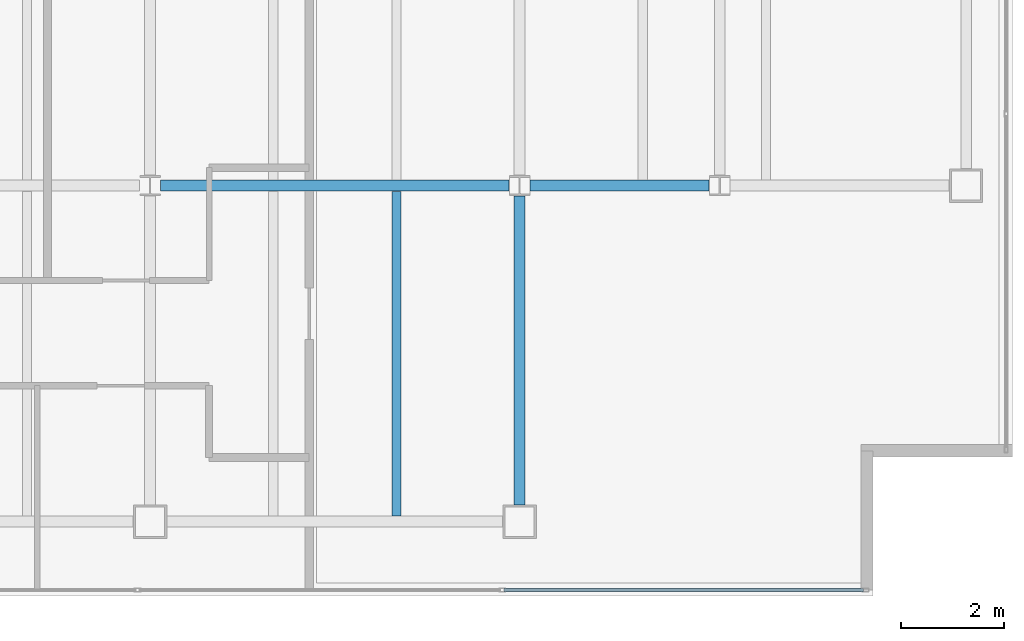
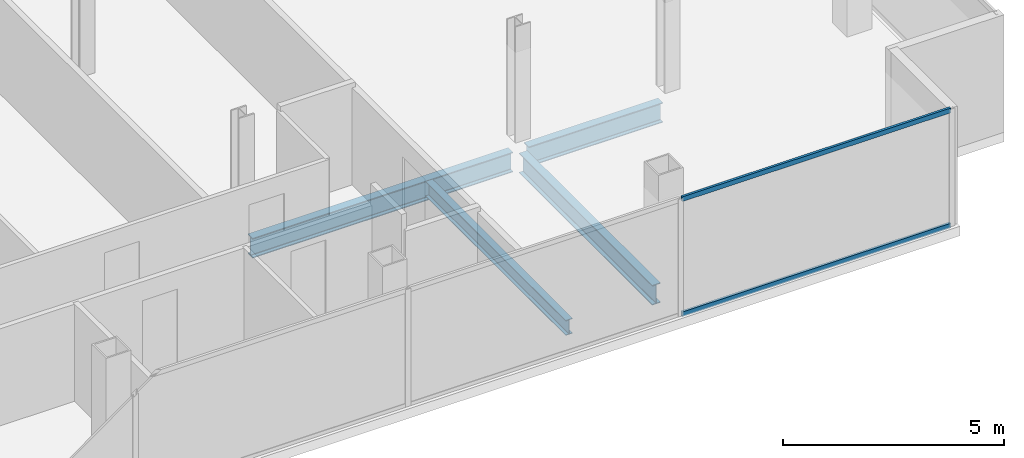
# One storey, part 13 of 23: 4 beams, 2 members, 1 element without a shape of its own.
"""IFC4 building model written with IfcOpenShell, lengths in metres."""

import ifcopenshell
import ifcopenshell.guid

model = None  # the IFC model being written
_history = None  # IfcOwnerHistory: only IFC2X3 demands one
_inside = {}  # id of a spatial element -> (the spatial element, [elements in it])
_under = {}  # id of a project, library or spatial element -> (it, [spatial elements below it])
_declared = {}  # id of a project -> (the project, [libraries it declares])
_typed = {}  # id of a type object -> (the type object, [elements of that type])
_made_of = {}  # id of a material, layer set ... -> (it, [elements and type objects made of it])


def new_model(schema):
    """Start an empty IFC model of exactly this schema.

    Asked for "IFC4X3", IfcOpenShell would pick the latest addendum, in which some entities
    have other attributes; the version numbers below select the first issue.
    IFC2X3 requires an IfcOwnerHistory on every rooted entity: one is made here for all.
    """
    global model, _history
    if schema == "IFC4X3":
        model = ifcopenshell.file(schema_version=(4, 3, 0, 0))
    else:
        model = ifcopenshell.file(schema=schema)
    _inside.clear()
    _under.clear()
    _declared.clear()
    _typed.clear()
    _made_of.clear()
    _history = None
    if model.schema == "IFC2X3":
        org = make("IfcOrganization", Name="unknown")
        user = make(
            "IfcPersonAndOrganization",
            ThePerson=make("IfcPerson", FamilyName="unknown"),
            TheOrganization=org,
        )
        app = make(
            "IfcApplication",
            ApplicationDeveloper=org,
            Version="unknown",
            ApplicationFullName="unknown",
            ApplicationIdentifier="unknown",
        )
        _history = make(
            "IfcOwnerHistory",
            OwningUser=user,
            OwningApplication=app,
            ChangeAction="ADDED",
            CreationDate=0,
        )
    return model


def make(cls, **values):
    """One entity of the class cls with the attributes given. An attribute that is None is left unset."""
    return model.create_entity(
        cls, **{name: value for name, value in values.items() if value is not None}
    )


def rooted(cls, **values):
    """An entity with a GlobalId (a new one), such as an element, a storey or a relation."""
    return make(cls, GlobalId=ifcopenshell.guid.new(), OwnerHistory=_history, **values)


def si_unit(unit_type, name, prefix=None):
    """IfcSIUnit, for example si_unit("LENGTHUNIT", "METRE", prefix="MILLI")."""
    return make("IfcSIUnit", UnitType=unit_type, Prefix=prefix, Name=name)


def assignment(units):
    """IfcUnitAssignment: the units of a project."""
    return None if units is None else make("IfcUnitAssignment", Units=units)


def point(xyz):
    """IfcCartesianPoint."""
    return None if xyz is None else make("IfcCartesianPoint", Coordinates=xyz)


def direction(xyz):
    """IfcDirection."""
    return None if xyz is None else make("IfcDirection", DirectionRatios=xyz)


def frame(location, z_axis=None, x_axis=None):
    """IfcAxis2Placement3D, a coordinate frame: its origin and axes. An axis left out is left unset."""
    return make(
        "IfcAxis2Placement3D",
        Location=point(location),
        Axis=direction(z_axis),
        RefDirection=direction(x_axis),
    )


def frame_2d(location, x_axis=None):
    """IfcAxis2Placement2D, a coordinate frame in the plane: its origin and x axis."""
    return make(
        "IfcAxis2Placement2D", Location=point(location), RefDirection=direction(x_axis)
    )


def origin():
    """The frame at (0, 0, 0) with its axes left unset."""
    return frame((0.0, 0.0, 0.0))


def origin_2d():
    """The frame at (0, 0) in the plane with its x axis left unset."""
    return frame_2d((0.0, 0.0))


def place(relative_to, where):
    """IfcLocalPlacement: puts the frame where relative to a parent placement (None: the world)."""
    return make(
        "IfcLocalPlacement", PlacementRelTo=relative_to, RelativePlacement=where
    )


def context(
    kind, dimensions, precision=None, world=None, true_north=None, identifier=None
):
    """IfcGeometricRepresentationContext, for example the 3D "Model" context."""
    return make(
        "IfcGeometricRepresentationContext",
        ContextIdentifier=identifier,
        ContextType=kind,
        CoordinateSpaceDimension=dimensions,
        Precision=precision,
        WorldCoordinateSystem=world,
        TrueNorth=true_north,
    )


def subcontext(parent, identifier, kind, view, scale=None):
    """IfcGeometricRepresentationSubContext, for example "Body" below "Model"."""
    return make(
        "IfcGeometricRepresentationSubContext",
        ContextIdentifier=identifier,
        ContextType=kind,
        ParentContext=parent,
        TargetScale=scale,
        TargetView=view,
    )


def project(units=None, contexts=None):
    """IfcProject with its units and contexts."""
    return rooted(
        "IfcProject",
        Name="project",
        RepresentationContexts=contexts,
        UnitsInContext=assignment(units),
    )


def spatial(cls, under=None, at=None, **own):
    """A site, building, storey or space (cls), placed at a placement, below another one or the project."""
    s = rooted(cls, ObjectPlacement=at, **own)
    if under is not None:
        _under.setdefault(under.id(), (under, []))[1].append(s)
    return s


def profile(cls, at=None, kind="AREA", **sizes):
    """A parametric profile (cls). Its sizes go by their IFC names, for example OverallWidth=200.0."""
    return make(cls, ProfileType=kind, Position=at, **sizes)


def hollow_rectangle(**sizes):
    """IfcRectangleHollowProfileDef."""
    return profile("IfcRectangleHollowProfileDef", **sizes)


def i_section(**sizes):
    """IfcIShapeProfileDef."""
    return profile("IfcIShapeProfileDef", **sizes)


def extrude(swept, where, along, depth):
    """IfcExtrudedAreaSolid: the profile swept, set in the frame where, extruded along a direction by depth."""
    return make(
        "IfcExtrudedAreaSolid",
        SweptArea=swept,
        Position=where,
        ExtrudedDirection=direction(along),
        Depth=depth,
    )


def shape(context_of_items, identifier, shape_type, items):
    """IfcShapeRepresentation: the items that make up one representation, for example the "Body"."""
    return make(
        "IfcShapeRepresentation",
        ContextOfItems=context_of_items,
        RepresentationIdentifier=identifier,
        RepresentationType=shape_type,
        Items=items,
    )


def material(Name=None, Category=None):
    """IfcMaterial."""
    return make("IfcMaterial", Name=Name, Category=Category)


def material_profile(
    of_material, cross_section, Name=None, Category=None, Priority=None
):
    """IfcMaterialProfile: a cross section and its material."""
    return make(
        "IfcMaterialProfile",
        Name=Name,
        Material=of_material,
        Profile=cross_section,
        Priority=Priority,
        Category=Category,
    )


def profile_set(profiles, Name=None, composite=None):
    """IfcMaterialProfileSet."""
    return make(
        "IfcMaterialProfileSet",
        Name=Name,
        MaterialProfiles=profiles,
        CompositeProfile=composite,
    )


def made_of(thing, what):
    """Note that an element or type object is made of a material, layer set ...; save() writes the relation."""
    if what is not None:
        _made_of.setdefault(what.id(), (what, []))[1].append(thing)
    return thing


def type_object(cls, material=None, **own):
    """A type object (cls), such as IfcWallType, which elements share."""
    return made_of(rooted(cls, **own), material)


def element(
    cls,
    number,
    at=None,
    inside=None,
    cuts=None,
    type_object=None,
    material=None,
    context=None,
    identifier="Body",
    shape_type=None,
    held_by="IfcProductDefinitionShape",
    body=None,
    shapes=None,
    **own,
):
    """One element of the class cls, such as IfcWall. Its Tag is "e" and its number.

    at: its placement. inside: the storey or other place that contains it. cuts: it is an
    opening in that element (IfcRelVoidsElement). A single representation is given by context,
    identifier, shape_type and body (its items); several are given by shapes. held_by: the class
    of the entity that holds the representations. save() writes the other relations.
    """
    e = rooted(cls, Tag="e%d" % number, ObjectPlacement=at, **own)
    if body is not None:
        shapes = [shape(context, identifier, shape_type, body)]
    if shapes is not None:
        e.Representation = make(held_by, Representations=shapes)
    if inside is not None:
        _inside.setdefault(inside.id(), (inside, []))[1].append(e)
    if cuts is not None:
        rooted(
            "IfcRelVoidsElement", RelatingBuildingElement=cuts, RelatedOpeningElement=e
        )
    if type_object is not None:
        _typed.setdefault(type_object.id(), (type_object, []))[1].append(e)
    return made_of(e, material)


def aggregate(whole, parts):
    """IfcRelAggregates: a whole, such as a stair, and the parts it consists of."""
    return rooted("IfcRelAggregates", RelatingObject=whole, RelatedObjects=parts)


def save(model, path):
    """Write the relations noted so far, then the file.

    IfcRelAggregates (storeys below a building ...), IfcRelContainedInSpatialStructure (elements
    in a storey), IfcRelDefinesByType, IfcRelAssociatesMaterial and IfcRelDeclares: one each for
    every whole, place, type object, material and project.
    """
    for whole, parts in _under.values():
        aggregate(whole, parts)
    for where, things in _inside.values():
        rooted(
            "IfcRelContainedInSpatialStructure",
            RelatedElements=things,
            RelatingStructure=where,
        )
    for kind, things in _typed.values():
        rooted("IfcRelDefinesByType", RelatedObjects=things, RelatingType=kind)
    for what, things in _made_of.values():
        rooted("IfcRelAssociatesMaterial", RelatedObjects=things, RelatingMaterial=what)
    for by, libraries in _declared.values():
        rooted("IfcRelDeclares", RelatingContext=by, RelatedDefinitions=libraries)
    model.write(path)


model = new_model("IFC4")

# Units and contexts
model_context = context("Model", 3, precision=1e-05, world=origin(), true_north=direction((0.0, 1.0)))
body_context = subcontext(model_context, "Body", "Model", "MODEL_VIEW")
ifc_project = project(units=[si_unit("LENGTHUNIT", "METRE"), si_unit("AREAUNIT", "SQUARE_METRE"), si_unit("VOLUMEUNIT", "CUBIC_METRE"), si_unit("PLANEANGLEUNIT", "RADIAN"), si_unit("MASSUNIT", "GRAM", prefix="KILO")], contexts=[model_context])

# Site, building, storey
site_placement = place(None, origin())
site = spatial("IfcSite", under=ifc_project, at=site_placement, CompositionType="ELEMENT")
building_placement = place(site_placement, origin())
building = spatial("IfcBuilding", under=site, at=building_placement, Name="Cobrela Telecom Tower", CompositionType="ELEMENT")
storey_placement = place(building_placement, frame((0.0, 0.0, 286.64990234375)))
storey = spatial("IfcBuildingStorey", under=building, at=storey_placement, Name="L75", CompositionType="ELEMENT", Elevation=286.64990234375)

# Beams
ifc_material_1 = material(Name="Steel ASTM A992 Grade 50", Category="steel")
ifc_material_profile_1 = material_profile(ifc_material_1, i_section(OverallWidth=0.212890625, OverallDepth=0.549072265625, WebThickness=0.0146484375, FlangeThickness=0.023681640625, FilletRadius=0.013916015625, at=origin_2d()), Name="W21X93")
ifc_profile_set_1 = profile_set([ifc_material_profile_1], Name="Steel ASTM A992 Grade 50")
beam_type_1 = type_object("IfcBeamType", Name="BM-GIRD-08", PredefinedType="USERDEFINED", material=ifc_profile_set_1)
beam_1_placement = place(storey_placement, frame((29.00439453125, 14.39990234375, -0.534423828125), z_axis=(1.0, 0.0, 0.0), x_axis=(0.0, 1.0, 0.0)))
element("IfcBeam", 1, at=beam_1_placement, inside=storey, type_object=beam_type_1, Name="L75 Primary Girder X07", ObjectType="GIRDER", PredefinedType="USERDEFINED", context=body_context, shape_type="SweptSolid", body=[
    extrude(i_section(OverallWidth=0.212890625, OverallDepth=0.549072265625, WebThickness=0.0146484375, FlangeThickness=0.023681640625, FilletRadius=0.013916015625, at=origin_2d()), origin(), (0.0, 0.0, 1.0), 6.791015625),
])
beam_2_placement = place(storey_placement, frame((36.20458984375, 14.39990234375, -0.534423828125), z_axis=(1.0, 0.0, 0.0), x_axis=(0.0, 1.0, 0.0)))
element("IfcBeam", 2, at=beam_2_placement, inside=storey, type_object=beam_type_1, Name="L75 Primary Girder X08", ObjectType="GIRDER", PredefinedType="USERDEFINED", context=body_context, shape_type="SweptSolid", body=[
    extrude(i_section(OverallWidth=0.212890625, OverallDepth=0.549072265625, WebThickness=0.0146484375, FlangeThickness=0.023681640625, FilletRadius=0.013916015625, at=origin_2d()), origin(), (0.0, 0.0, 1.0), 3.490966796875),
])
beam_3_placement = place(storey_placement, frame((36.0, 8.179931640625, -0.534423828125), z_axis=(0.0, 1.0, 0.0), x_axis=(-1.0, 0.0, 0.0)))
element("IfcBeam", 3, at=beam_3_placement, inside=storey, type_object=beam_type_1, Name="L75 Primary Girder Y31", ObjectType="GIRDER", PredefinedType="USERDEFINED", context=body_context, shape_type="SweptSolid", body=[
    extrude(i_section(OverallWidth=0.212890625, OverallDepth=0.549072265625, WebThickness=0.0146484375, FlangeThickness=0.023681640625, FilletRadius=0.013916015625, at=origin_2d()), origin(), (0.0, 0.0, 1.0), 6.015625),
])
ifc_material_profile_2 = material_profile(ifc_material_1, i_section(OverallWidth=0.179931640625, OverallDepth=0.4169921875, WebThickness=0.010986328125, FlangeThickness=0.01806640625, FilletRadius=0.011962890625, at=origin_2d()), Name="W16X57")
ifc_profile_set_2 = profile_set([ifc_material_profile_2], Name="Steel ASTM A992 Grade 50")
beam_type_2 = type_object("IfcBeamType", Name="BM-JOIST-04", PredefinedType="JOIST", material=ifc_profile_set_2)
beam_4_placement = place(storey_placement, frame((33.60009765625, 7.96142578125, -0.468505859375), z_axis=(0.0, 1.0, 0.0), x_axis=(-1.0, 0.0, 0.0)))
element("IfcBeam", 4, at=beam_4_placement, inside=storey, type_object=beam_type_2, Name="L75 Secondary Composite Floor Beam J13", PredefinedType="JOIST", context=body_context, shape_type="SweptSolid", body=[
    extrude(i_section(OverallWidth=0.179931640625, OverallDepth=0.4169921875, WebThickness=0.010986328125, FlangeThickness=0.01806640625, FilletRadius=0.011962890625, at=origin_2d()), origin(), (0.0, 0.0, 1.0), 6.3271484375),
])

# Curtain wall, members
ifc_material_2 = material(Name="Anodized Bronze Aluminium 6063-T6", Category="aluminium")
curtain_wall_type = type_object("IfcCurtainWallType", Name="CW-SYS-OFF-HI", PredefinedType="USERDEFINED", material=ifc_material_2)
curtain_wall_placement = place(storey_placement, origin())
curtain_wall = element("IfcCurtainWall", 5, at=curtain_wall_placement, inside=storey, type_object=curtain_wall_type, Name="L75 Unitised Bronze Curtain Wall 15", ObjectType="UNITISED CURTAIN WALL", PredefinedType="USERDEFINED")
ifc_material_profile_3 = material_profile(ifc_material_2, hollow_rectangle(XDim=0.06494140625, YDim=0.1298828125, WallThickness=0.00390625, at=origin_2d()), Name="ALU 65x130x4")
ifc_profile_set_3 = profile_set([ifc_material_profile_3], Name="Anodized Bronze Aluminium 6063-T6")
member_type = type_object("IfcMemberType", Name="CW-SYS-OFF-HI-TRN", PredefinedType="USERDEFINED", material=ifc_profile_set_3)
member_1_placement = place(storey_placement, frame((42.699951171875, 6.52001953125, 0.03271484375), z_axis=(-1.0, 0.0, 0.0), x_axis=(0.0, -1.0, 0.0)))
member_1 = element("IfcMember", 6, at=member_1_placement, type_object=member_type, Name="CW-OFF-HI transom 1.1", ObjectType="TRANSOM", PredefinedType="USERDEFINED", context=body_context, shape_type="SweptSolid", body=[
    extrude(hollow_rectangle(XDim=0.06494140625, YDim=0.1298828125, WallThickness=0.00390625, at=origin_2d()), origin(), (0.0, 0.0, 1.0), 7.003173828125),
])
member_2_placement = place(storey_placement, frame((42.699951171875, 6.52001953125, 3.20751953125), z_axis=(-1.0, 0.0, 0.0), x_axis=(0.0, -1.0, 0.0)))
member_2 = element("IfcMember", 7, at=member_2_placement, type_object=member_type, Name="CW-OFF-HI transom 1.2", ObjectType="TRANSOM", PredefinedType="USERDEFINED", context=body_context, shape_type="SweptSolid", body=[
    extrude(hollow_rectangle(XDim=0.06494140625, YDim=0.1298828125, WallThickness=0.00390625, at=origin_2d()), origin(), (0.0, 0.0, 1.0), 7.003173828125),
])
aggregate(curtain_wall, [member_1, member_2])

save(model, "model.ifc")
